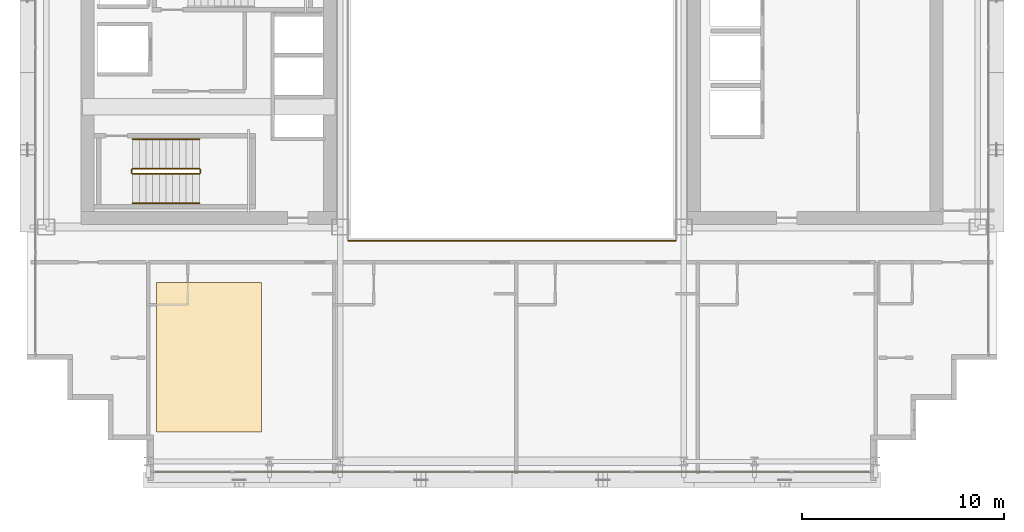
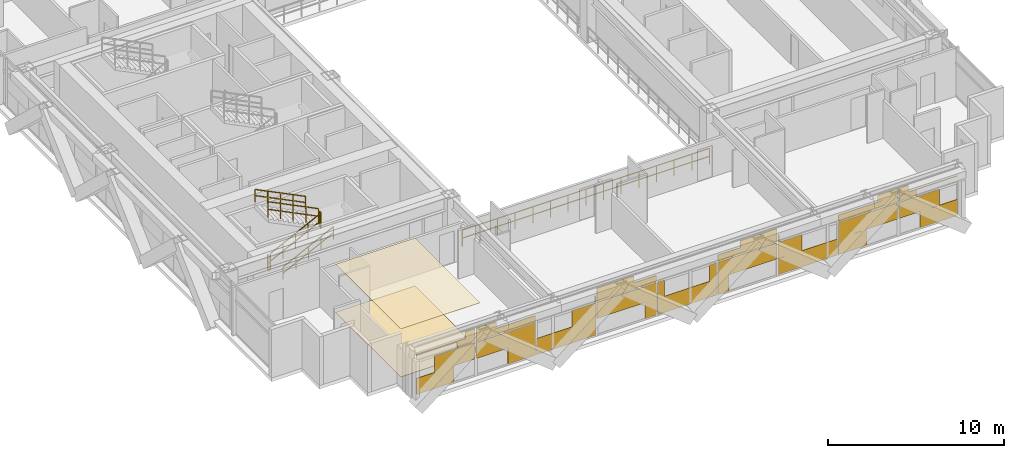
# One storey, part 31 of 34: 7 railings, 3 coverings.
"""IFC4 building model written with IfcOpenShell, lengths in metres."""

from ifc_helpers import new_model, si_unit, direction, frame, origin, origin_2d, place, context, subcontext, project, spatial, polyline, rectangle, outline, extrude, material, layer, layer_set, type_object, element, save


model = new_model("IFC4")

# Units and contexts
model_context = context("Model", 3, precision=1e-05, world=origin(), true_north=direction((0.0, 1.0)))
body_context = subcontext(model_context, "Body", "Model", "MODEL_VIEW")
ifc_project = project(units=[si_unit("LENGTHUNIT", "METRE"), si_unit("AREAUNIT", "SQUARE_METRE"), si_unit("VOLUMEUNIT", "CUBIC_METRE"), si_unit("PLANEANGLEUNIT", "RADIAN"), si_unit("MASSUNIT", "GRAM", prefix="KILO")], contexts=[model_context])

# Site, building, storey
site_placement = place(None, origin())
site = spatial("IfcSite", under=ifc_project, at=site_placement, CompositionType="ELEMENT")
building_placement = place(site_placement, origin())
building = spatial("IfcBuilding", under=site, at=building_placement, Name="Ocotamira Hotel", CompositionType="ELEMENT")
storey_placement = place(building_placement, frame((0.0, 0.0, 111.60009765625)))
storey = spatial("IfcBuildingStorey", under=building, at=storey_placement, Name="L27", CompositionType="ELEMENT", Elevation=111.60009765625)

# Coverings
ifc_material_1 = material(Name="Perforated acoustic gypsum ceiling board", Category="gypsum")
ifc_layer_1 = layer(ifc_material_1, 0.02490234375)
ifc_layer_set_1 = layer_set([ifc_layer_1], Name="Perforated acoustic gypsum ceiling board")
covering_type_1 = type_object("IfcCoveringType", Name="COV-CEIL-25", PredefinedType="CEILING", material=ifc_layer_set_1)
covering_1_placement = place(storey_placement, frame((0.0, 0.0, 3.3349609375)))
element("IfcCovering", 1, at=covering_1_placement, inside=storey, type_object=covering_type_1, Name="L27 Acoustic Ceiling", PredefinedType="CEILING", context=body_context, shape_type="SweptSolid", body=[
    extrude(outline(polyline([(14.39990234375, 4.39990234375), (19.60009765625, 4.39990234375), (19.60009765625, 11.800048828125), (14.39990234375, 11.800048828125), (14.39990234375, 4.39990234375)])), origin(), (0.0, 0.0, 1.0), 0.02490234375),
])
ifc_material_2 = material(Name="Honed desert travertine stone flooring", Category="masonry")
ifc_layer_2 = layer(ifc_material_2, 0.030029296875)
ifc_layer_set_2 = layer_set([ifc_layer_2], Name="Honed desert travertine stone flooring")
covering_type_2 = type_object("IfcCoveringType", Name="COV-FLOR-30", PredefinedType="FLOORING", material=ifc_layer_set_2)
covering_2_placement = place(storey_placement, origin())
element("IfcCovering", 2, at=covering_2_placement, inside=storey, type_object=covering_type_2, Name="L27 Honed Stone Floor Finish", PredefinedType="FLOORING", context=body_context, shape_type="SweptSolid", body=[
    extrude(outline(polyline([(14.39990234375, 4.39990234375), (19.60009765625, 4.39990234375), (19.60009765625, 11.800048828125), (14.39990234375, 11.800048828125), (14.39990234375, 4.39990234375)])), origin(), (0.0, 0.0, 1.0), 0.02978515625),
])
ifc_material_3 = material(Name="Insulated pale-metal aluminium spandrel panel", Category="aluminium")
ifc_layer_3 = layer(ifc_material_3, 0.044921875)
ifc_layer_set_3 = layer_set([ifc_layer_3], Name="Insulated pale-metal aluminium spandrel panel")
covering_type_3 = type_object("IfcCoveringType", Name="COV-INFILL-45", PredefinedType="CLADDING", material=ifc_layer_set_3)
covering_3_placement = place(storey_placement, origin())
element("IfcCovering", 3, at=covering_3_placement, inside=storey, type_object=covering_type_3, Name="L27 Curtain Wall Infill CW-3 CW-L27-S1", PredefinedType="CLADDING", context=body_context, shape_type="SweptSolid", body=[
    extrude(rectangle(XDim=2.464111328125, YDim=0.044921875, at=origin_2d()), frame((15.512451171875, 2.419921875, 0.0751953125), z_axis=(0.0, 0.0, 1.0), x_axis=(1.0, 0.0, 0.0)), (0.0, 0.0, 1.0), 1.117919921875),
    extrude(rectangle(XDim=2.650146484375, YDim=0.044921875, at=origin_2d()), frame((16.7900390625, 2.419921875, 1.194091796875), z_axis=(0.0, 0.0, 1.0), x_axis=(1.0, 0.0, 0.0)), (0.0, 0.0, 1.0), 1.11767578125),
    extrude(rectangle(XDim=3.834716796875, YDim=0.044921875, at=origin_2d()), frame((16.19775390625, 2.419921875, 2.782470703125), z_axis=(0.0, 0.0, 1.0), x_axis=(1.0, 0.0, 0.0)), (0.0, 0.0, 1.0), 0.0302734375),
    extrude(rectangle(XDim=1.157958984375, YDim=0.044921875, at=origin_2d()), frame((17.5361328125, 2.419921875, 2.387939453125), z_axis=(0.0, 0.0, 1.0), x_axis=(1.0, 0.0, 0.0)), (0.0, 0.0, 1.0), 0.3935546875),
    extrude(rectangle(XDim=0.625732421875, YDim=0.044921875, at=origin_2d()), frame((17.80224609375, 2.419921875, 2.813720703125), z_axis=(0.0, 0.0, 1.0), x_axis=(1.0, 0.0, 0.0)), (0.0, 0.0, 1.0), 0.470703125),
    extrude(rectangle(XDim=3.87451171875, YDim=0.044921875, at=origin_2d()), frame((20.13330078125, 2.419921875, 1.194091796875), z_axis=(0.0, 0.0, 1.0), x_axis=(1.0, 0.0, 0.0)), (0.0, 0.0, 1.0), 1.11767578125),
    extrude(rectangle(XDim=1.815185546875, YDim=0.044921875, at=origin_2d()), frame((21.1630859375, 2.419921875, 0.0751953125), z_axis=(0.0, 0.0, 1.0), x_axis=(1.0, 0.0, 0.0)), (0.0, 0.0, 1.0), 1.117919921875),
    extrude(rectangle(XDim=3.87451171875, YDim=0.044921875, at=origin_2d()), frame((20.13330078125, 2.419921875, 2.387939453125), z_axis=(0.0, 0.0, 1.0), x_axis=(1.0, 0.0, 0.0)), (0.0, 0.0, 1.0), 0.4248046875),
    extrude(rectangle(XDim=1.314697265625, YDim=0.044921875, at=origin_2d()), frame((18.853515625, 2.419921875, 2.813720703125), z_axis=(0.0, 0.0, 1.0), x_axis=(1.0, 0.0, 0.0)), (0.0, 0.0, 1.0), 0.470703125),
    extrude(rectangle(XDim=3.87451171875, YDim=0.044921875, at=origin_2d()), frame((24.0888671875, 2.419921875, 0.0751953125), z_axis=(0.0, 0.0, 1.0), x_axis=(1.0, 0.0, 0.0)), (0.0, 0.0, 1.0), 1.117919921875),
    extrude(rectangle(XDim=1.561279296875, YDim=0.044921875, at=origin_2d()), frame((25.24560546875, 2.419921875, 1.194091796875), z_axis=(0.0, 0.0, 1.0), x_axis=(1.0, 0.0, 0.0)), (0.0, 0.0, 1.0), 1.11767578125),
    extrude(rectangle(XDim=0.069091796875, YDim=0.044921875, at=origin_2d()), frame((25.99169921875, 2.419921875, 2.387939453125), z_axis=(0.0, 0.0, 1.0), x_axis=(1.0, 0.0, 0.0)), (0.0, 0.0, 1.0), 0.4248046875),
    extrude(rectangle(XDim=3.87451171875, YDim=0.044921875, at=origin_2d()), frame((28.04443359375, 2.419921875, 1.194091796875), z_axis=(0.0, 0.0, 1.0), x_axis=(1.0, 0.0, 0.0)), (0.0, 0.0, 1.0), 1.11767578125),
    extrude(rectangle(XDim=0.726318359375, YDim=0.044921875, at=origin_2d()), frame((29.61865234375, 2.419921875, 0.0751953125), z_axis=(0.0, 0.0, 1.0), x_axis=(1.0, 0.0, 0.0)), (0.0, 0.0, 1.0), 1.117919921875),
    extrude(rectangle(XDim=3.87451171875, YDim=0.044921875, at=origin_2d()), frame((28.04443359375, 2.419921875, 2.387939453125), z_axis=(0.0, 0.0, 1.0), x_axis=(1.0, 0.0, 0.0)), (0.0, 0.0, 1.0), 0.4248046875),
    extrude(rectangle(XDim=2.403564453125, YDim=0.044921875, at=origin_2d()), frame((27.308837890625, 2.419921875, 2.813720703125), z_axis=(0.0, 0.0, 1.0), x_axis=(1.0, 0.0, 0.0)), (0.0, 0.0, 1.0), 0.470703125),
    extrude(rectangle(XDim=3.87451171875, YDim=0.044921875, at=origin_2d()), frame((32.0, 2.419921875, 0.0751953125), z_axis=(0.0, 0.0, 1.0), x_axis=(1.0, 0.0, 0.0)), (0.0, 0.0, 1.0), 1.117919921875),
    extrude(rectangle(XDim=0.472412109375, YDim=0.044921875, at=origin_2d()), frame((30.298828125, 2.419921875, 1.194091796875), z_axis=(0.0, 0.0, 1.0), x_axis=(1.0, 0.0, 0.0)), (0.0, 0.0, 1.0), 1.11767578125),
    extrude(rectangle(XDim=0.472412109375, YDim=0.044921875, at=origin_2d()), frame((33.701171875, 2.419921875, 1.194091796875), z_axis=(0.0, 0.0, 1.0), x_axis=(1.0, 0.0, 0.0)), (0.0, 0.0, 1.0), 1.11767578125),
    extrude(rectangle(XDim=0.726318359375, YDim=0.044921875, at=origin_2d()), frame((34.38134765625, 2.419921875, 0.0751953125), z_axis=(0.0, 0.0, 1.0), x_axis=(1.0, 0.0, 0.0)), (0.0, 0.0, 1.0), 1.117919921875),
    extrude(rectangle(XDim=3.87451171875, YDim=0.044921875, at=origin_2d()), frame((35.95556640625, 2.419921875, 1.194091796875), z_axis=(0.0, 0.0, 1.0), x_axis=(1.0, 0.0, 0.0)), (0.0, 0.0, 1.0), 1.11767578125),
    extrude(rectangle(XDim=3.87451171875, YDim=0.044921875, at=origin_2d()), frame((35.95556640625, 2.419921875, 2.387939453125), z_axis=(0.0, 0.0, 1.0), x_axis=(1.0, 0.0, 0.0)), (0.0, 0.0, 1.0), 0.4248046875),
    extrude(rectangle(XDim=2.403564453125, YDim=0.044921875, at=origin_2d()), frame((36.691162109375, 2.419921875, 2.813720703125), z_axis=(0.0, 0.0, 1.0), x_axis=(1.0, 0.0, 0.0)), (0.0, 0.0, 1.0), 0.470703125),
    extrude(rectangle(XDim=3.87451171875, YDim=0.044921875, at=origin_2d()), frame((39.9111328125, 2.419921875, 0.0751953125), z_axis=(0.0, 0.0, 1.0), x_axis=(1.0, 0.0, 0.0)), (0.0, 0.0, 1.0), 1.117919921875),
    extrude(rectangle(XDim=1.561279296875, YDim=0.044921875, at=origin_2d()), frame((38.75439453125, 2.419921875, 1.194091796875), z_axis=(0.0, 0.0, 1.0), x_axis=(1.0, 0.0, 0.0)), (0.0, 0.0, 1.0), 1.11767578125),
    extrude(rectangle(XDim=0.069091796875, YDim=0.044921875, at=origin_2d()), frame((38.00830078125, 2.419921875, 2.387939453125), z_axis=(0.0, 0.0, 1.0), x_axis=(1.0, 0.0, 0.0)), (0.0, 0.0, 1.0), 0.4248046875),
    extrude(rectangle(XDim=1.815185546875, YDim=0.044921875, at=origin_2d()), frame((42.8369140625, 2.419921875, 0.0751953125), z_axis=(0.0, 0.0, 1.0), x_axis=(1.0, 0.0, 0.0)), (0.0, 0.0, 1.0), 1.117919921875),
    extrude(rectangle(XDim=3.87451171875, YDim=0.044921875, at=origin_2d()), frame((43.86669921875, 2.419921875, 1.194091796875), z_axis=(0.0, 0.0, 1.0), x_axis=(1.0, 0.0, 0.0)), (0.0, 0.0, 1.0), 1.11767578125),
    extrude(rectangle(XDim=3.87451171875, YDim=0.044921875, at=origin_2d()), frame((43.86669921875, 2.419921875, 2.387939453125), z_axis=(0.0, 0.0, 1.0), x_axis=(1.0, 0.0, 0.0)), (0.0, 0.0, 1.0), 0.4248046875),
    extrude(rectangle(XDim=1.314697265625, YDim=0.044921875, at=origin_2d()), frame((45.146484375, 2.419921875, 2.813720703125), z_axis=(0.0, 0.0, 1.0), x_axis=(1.0, 0.0, 0.0)), (0.0, 0.0, 1.0), 0.470703125),
    extrude(rectangle(XDim=2.650146484375, YDim=0.044921875, at=origin_2d()), frame((47.2099609375, 2.419921875, 1.194091796875), z_axis=(0.0, 0.0, 1.0), x_axis=(1.0, 0.0, 0.0)), (0.0, 0.0, 1.0), 1.11767578125),
    extrude(rectangle(XDim=2.464111328125, YDim=0.044921875, at=origin_2d()), frame((48.487548828125, 2.419921875, 0.0751953125), z_axis=(0.0, 0.0, 1.0), x_axis=(1.0, 0.0, 0.0)), (0.0, 0.0, 1.0), 1.117919921875),
    extrude(rectangle(XDim=1.157958984375, YDim=0.044921875, at=origin_2d()), frame((46.4638671875, 2.419921875, 2.387939453125), z_axis=(0.0, 0.0, 1.0), x_axis=(1.0, 0.0, 0.0)), (0.0, 0.0, 1.0), 0.3935546875),
    extrude(rectangle(XDim=3.834716796875, YDim=0.044921875, at=origin_2d()), frame((47.80224609375, 2.419921875, 2.782470703125), z_axis=(0.0, 0.0, 1.0), x_axis=(1.0, 0.0, 0.0)), (0.0, 0.0, 1.0), 0.0302734375),
    extrude(rectangle(XDim=0.625732421875, YDim=0.044921875, at=origin_2d()), frame((46.19775390625, 2.419921875, 2.813720703125), z_axis=(0.0, 0.0, 1.0), x_axis=(1.0, 0.0, 0.0)), (0.0, 0.0, 1.0), 0.470703125),
])

# Railings
ifc_material_4 = material(Name="Painted steel stair guardrail", Category="steel")
railing_type_1 = type_object("IfcRailingType", Name="RL-EDGE-1150", PredefinedType="GUARDRAIL", material=ifc_material_4)
railing_1_placement = place(storey_placement, frame((23.89990234375, 13.8798828125, 0.0)))
element("IfcRailing", 4, at=railing_1_placement, inside=storey, type_object=railing_type_1, Name="L27 Central Atrium Edge Guardrail S", PredefinedType="GUARDRAIL", context=body_context, shape_type="SweptSolid", body=[
    extrude(rectangle(XDim=0.048095703125, YDim=0.048095703125, at=origin_2d()), frame((0.0, 0.0, 1.1259765625), z_axis=(1.0, 0.0, 0.0), x_axis=(0.0, 1.0, 0.0)), (0.0, 0.0, 1.0), 16.2001953125),
    extrude(rectangle(XDim=0.048095703125, YDim=0.048095703125, at=origin_2d()), frame((0.0, 0.0, 0.574951171875), z_axis=(1.0, 0.0, 0.0), x_axis=(0.0, 1.0, 0.0)), (0.0, 0.0, 1.0), 16.2001953125),
    extrude(rectangle(XDim=0.0419921875, YDim=0.0419921875, at=origin_2d()), origin(), (0.0, 0.0, 1.0), 1.101806640625),
    extrude(rectangle(XDim=0.0419921875, YDim=0.0419921875, at=origin_2d()), frame((1.1572265625, 0.0, 0.0)), (0.0, 0.0, 1.0), 1.101806640625),
    extrude(rectangle(XDim=0.0419921875, YDim=0.0419921875, at=origin_2d()), frame((2.314208984375, 0.0, 0.0)), (0.0, 0.0, 1.0), 1.101806640625),
    extrude(rectangle(XDim=0.0419921875, YDim=0.0419921875, at=origin_2d()), frame((3.471435546875, 0.0, 0.0)), (0.0, 0.0, 1.0), 1.101806640625),
    extrude(rectangle(XDim=0.0419921875, YDim=0.0419921875, at=origin_2d()), frame((4.628662109375, 0.0, 0.0)), (0.0, 0.0, 1.0), 1.101806640625),
    extrude(rectangle(XDim=0.0419921875, YDim=0.0419921875, at=origin_2d()), frame((5.785888671875, 0.0, 0.0)), (0.0, 0.0, 1.0), 1.101806640625),
    extrude(rectangle(XDim=0.0419921875, YDim=0.0419921875, at=origin_2d()), frame((6.94287109375, 0.0, 0.0)), (0.0, 0.0, 1.0), 1.101806640625),
    extrude(rectangle(XDim=0.0419921875, YDim=0.0419921875, at=origin_2d()), frame((8.10009765625, 0.0, 0.0)), (0.0, 0.0, 1.0), 1.101806640625),
    extrude(rectangle(XDim=0.0419921875, YDim=0.0419921875, at=origin_2d()), frame((9.25732421875, 0.0, 0.0)), (0.0, 0.0, 1.0), 1.101806640625),
    extrude(rectangle(XDim=0.0419921875, YDim=0.0419921875, at=origin_2d()), frame((10.414306640625, 0.0, 0.0)), (0.0, 0.0, 1.0), 1.101806640625),
    extrude(rectangle(XDim=0.0419921875, YDim=0.0419921875, at=origin_2d()), frame((11.571533203125, 0.0, 0.0)), (0.0, 0.0, 1.0), 1.101806640625),
    extrude(rectangle(XDim=0.0419921875, YDim=0.0419921875, at=origin_2d()), frame((12.728759765625, 0.0, 0.0)), (0.0, 0.0, 1.0), 1.101806640625),
    extrude(rectangle(XDim=0.0419921875, YDim=0.0419921875, at=origin_2d()), frame((13.885986328125, 0.0, 0.0)), (0.0, 0.0, 1.0), 1.101806640625),
    extrude(rectangle(XDim=0.0419921875, YDim=0.0419921875, at=origin_2d()), frame((15.04296875, 0.0, 0.0)), (0.0, 0.0, 1.0), 1.101806640625),
    extrude(rectangle(XDim=0.0419921875, YDim=0.0419921875, at=origin_2d()), frame((16.2001953125, 0.0, 0.0)), (0.0, 0.0, 1.0), 1.101806640625),
])
ifc_material_5 = material(Name="Brushed stainless steel handrail", Category="steel")
railing_type_2 = type_object("IfcRailingType", Name="RL-HAND-900", PredefinedType="HANDRAIL", material=ifc_material_5)
railing_2_placement = place(storey_placement, frame((13.22998046875, 15.719970703125, 0.3271484375)))
element("IfcRailing", 5, at=railing_2_placement, inside=storey, type_object=railing_type_2, Name="L27 ST-1 stair handrail 1", PredefinedType="HANDRAIL", context=body_context, shape_type="SweptSolid", body=[
    extrude(rectangle(XDim=0.048095703125, YDim=0.048095703125, at=origin_2d()), frame((0.0, 0.0, 0.8759765625), z_axis=(0.895893744519, 0.0, 0.4442683857), x_axis=(0.0, 1.0, 0.0)), (0.0, 0.0, 1.0), 3.68359375),
    extrude(rectangle(XDim=0.048095703125, YDim=0.048095703125, at=origin_2d()), frame((0.0, 0.0, 0.449951171875), z_axis=(0.895893744519, 0.0, 0.4442683857), x_axis=(0.0, 1.0, 0.0)), (0.0, 0.0, 1.0), 3.68359375),
    extrude(rectangle(XDim=0.0419921875, YDim=0.0419921875, at=origin_2d()), origin(), (0.0, 0.0, 1.0), 0.851806640625),
    extrude(rectangle(XDim=0.0419921875, YDim=0.0419921875, at=origin_2d()), frame((0.824951171875, 0.0, 0.4091796875)), (0.0, 0.0, 1.0), 0.851806640625),
    extrude(rectangle(XDim=0.0419921875, YDim=0.0419921875, at=origin_2d()), frame((1.64990234375, 0.0, 0.818359375)), (0.0, 0.0, 1.0), 0.851806640625),
    extrude(rectangle(XDim=0.0419921875, YDim=0.0419921875, at=origin_2d()), frame((2.47509765625, 0.0, 1.227294921875)), (0.0, 0.0, 1.0), 0.851806640625),
    extrude(rectangle(XDim=0.0419921875, YDim=0.0419921875, at=origin_2d()), frame((3.300048828125, 0.0, 1.636474609375)), (0.0, 0.0, 1.0), 0.851806640625),
])
railing_3_placement = place(storey_placement, frame((16.530029296875, 18.89990234375, 2.127197265625)))
element("IfcRailing", 6, at=railing_3_placement, inside=storey, type_object=railing_type_2, Name="L27 ST-1 stair handrail 2", PredefinedType="HANDRAIL", context=body_context, shape_type="SweptSolid", body=[
    extrude(rectangle(XDim=0.048095703125, YDim=0.048095703125, at=origin_2d()), frame((0.0, 0.0, 0.8759765625), z_axis=(-0.895920123917, 0.0, 0.444215186098), x_axis=(0.0, -1.0, 0.0)), (0.0, 0.0, 1.0), 3.683349609375),
    extrude(rectangle(XDim=0.048095703125, YDim=0.048095703125, at=origin_2d()), frame((0.0, 0.0, 0.449951171875), z_axis=(-0.895920123917, 0.0, 0.444215186098), x_axis=(0.0, -1.0, 0.0)), (0.0, 0.0, 1.0), 3.683349609375),
    extrude(rectangle(XDim=0.0419921875, YDim=0.0419921875, at=origin_2d()), origin(), (0.0, 0.0, 1.0), 0.851806640625),
    extrude(rectangle(XDim=0.0419921875, YDim=0.0419921875, at=origin_2d()), frame((-0.824951171875, 0.0, 0.4091796875)), (0.0, 0.0, 1.0), 0.851806640625),
    extrude(rectangle(XDim=0.0419921875, YDim=0.0419921875, at=origin_2d()), frame((-1.64990234375, 0.0, 0.818115234375)), (0.0, 0.0, 1.0), 0.851806640625),
    extrude(rectangle(XDim=0.0419921875, YDim=0.0419921875, at=origin_2d()), frame((-2.47509765625, 0.0, 1.22705078125)), (0.0, 0.0, 1.0), 0.851806640625),
    extrude(rectangle(XDim=0.0419921875, YDim=0.0419921875, at=origin_2d()), frame((-3.300048828125, 0.0, 1.63623046875)), (0.0, 0.0, 1.0), 0.851806640625),
])
railing_type_3 = type_object("IfcRailingType", Name="RL-STAIR-1100", PredefinedType="GUARDRAIL", material=ifc_material_4)
railing_4_placement = place(storey_placement, frame((13.22998046875, 17.179931640625, 0.16357421875)))
element("IfcRailing", 7, at=railing_4_placement, inside=storey, type_object=railing_type_3, Name="L27 ST-1 stair guard 1", PredefinedType="GUARDRAIL", context=body_context, shape_type="SweptSolid", body=[
    extrude(rectangle(XDim=0.048095703125, YDim=0.048095703125, at=origin_2d()), frame((0.0, 0.0, 1.076171875), z_axis=(0.895920123917, 0.0, 0.444215186098), x_axis=(0.0, 1.0, 0.0)), (0.0, 0.0, 1.0), 3.683349609375),
    extrude(rectangle(XDim=0.048095703125, YDim=0.048095703125, at=origin_2d()), frame((0.0, 0.0, 0.550048828125), z_axis=(0.895920123917, 0.0, 0.444215186098), x_axis=(0.0, 1.0, 0.0)), (0.0, 0.0, 1.0), 3.683349609375),
    extrude(rectangle(XDim=0.0419921875, YDim=0.0419921875, at=origin_2d()), origin(), (0.0, 0.0, 1.0), 1.052001953125),
    extrude(rectangle(XDim=0.0419921875, YDim=0.0419921875, at=origin_2d()), frame((0.824951171875, 0.0, 0.4091796875)), (0.0, 0.0, 1.0), 1.052001953125),
    extrude(rectangle(XDim=0.0419921875, YDim=0.0419921875, at=origin_2d()), frame((1.64990234375, 0.0, 0.818115234375)), (0.0, 0.0, 1.0), 1.052001953125),
    extrude(rectangle(XDim=0.0419921875, YDim=0.0419921875, at=origin_2d()), frame((2.47509765625, 0.0, 1.22705078125)), (0.0, 0.0, 1.0), 1.052001953125),
    extrude(rectangle(XDim=0.0419921875, YDim=0.0419921875, at=origin_2d()), frame((3.300048828125, 0.0, 1.63623046875)), (0.0, 0.0, 1.0), 1.052001953125),
])
railing_5_placement = place(storey_placement, frame((16.580078125, 17.22998046875, 1.7998046875)))
element("IfcRailing", 8, at=railing_5_placement, inside=storey, type_object=railing_type_3, Name="L27 ST-1 stair guard 2", PredefinedType="GUARDRAIL", context=body_context, shape_type="SweptSolid", body=[
    extrude(rectangle(XDim=0.048095703125, YDim=0.048095703125, at=origin_2d()), frame((0.0, 0.0, 1.076171875), z_axis=(0.0, 1.0, 0.0), x_axis=(-1.0, 0.0, 0.0)), (0.0, 0.0, 1.0), 0.159912109375),
    extrude(rectangle(XDim=0.048095703125, YDim=0.048095703125, at=origin_2d()), frame((0.0, 0.0, 0.550048828125), z_axis=(0.0, 1.0, 0.0), x_axis=(-1.0, 0.0, 0.0)), (0.0, 0.0, 1.0), 0.159912109375),
    extrude(rectangle(XDim=0.0419921875, YDim=0.0419921875, at=origin_2d()), origin(), (0.0, 0.0, 1.0), 1.052001953125),
    extrude(rectangle(XDim=0.0419921875, YDim=0.0419921875, at=origin_2d()), frame((0.0, 0.159912109375, 0.0)), (0.0, 0.0, 1.0), 1.052001953125),
])
railing_6_placement = place(storey_placement, frame((16.530029296875, 17.43994140625, 1.963623046875)))
element("IfcRailing", 9, at=railing_6_placement, inside=storey, type_object=railing_type_3, Name="L27 ST-1 stair guard 3", PredefinedType="GUARDRAIL", context=body_context, shape_type="SweptSolid", body=[
    extrude(rectangle(XDim=0.048095703125, YDim=0.048095703125, at=origin_2d()), frame((0.0, 0.0, 1.076171875), z_axis=(-0.895920123917, 0.0, 0.444215186098), x_axis=(0.0, -1.0, 0.0)), (0.0, 0.0, 1.0), 3.683349609375),
    extrude(rectangle(XDim=0.048095703125, YDim=0.048095703125, at=origin_2d()), frame((0.0, 0.0, 0.550048828125), z_axis=(-0.895920123917, 0.0, 0.444215186098), x_axis=(0.0, -1.0, 0.0)), (0.0, 0.0, 1.0), 3.683349609375),
    extrude(rectangle(XDim=0.0419921875, YDim=0.0419921875, at=origin_2d()), origin(), (0.0, 0.0, 1.0), 1.052001953125),
    extrude(rectangle(XDim=0.0419921875, YDim=0.0419921875, at=origin_2d()), frame((-0.824951171875, 0.0, 0.4091796875)), (0.0, 0.0, 1.0), 1.052001953125),
    extrude(rectangle(XDim=0.0419921875, YDim=0.0419921875, at=origin_2d()), frame((-1.64990234375, 0.0, 0.818115234375)), (0.0, 0.0, 1.0), 1.052001953125),
    extrude(rectangle(XDim=0.0419921875, YDim=0.0419921875, at=origin_2d()), frame((-2.47509765625, 0.0, 1.22705078125)), (0.0, 0.0, 1.0), 1.052001953125),
    extrude(rectangle(XDim=0.0419921875, YDim=0.0419921875, at=origin_2d()), frame((-3.300048828125, 0.0, 1.63623046875)), (0.0, 0.0, 1.0), 1.052001953125),
])
railing_7_placement = place(storey_placement, frame((13.179931640625, 17.22998046875, 0.0)))
element("IfcRailing", 10, at=railing_7_placement, inside=storey, type_object=railing_type_3, Name="L27 ST-1 stair guard 4", PredefinedType="GUARDRAIL", context=body_context, shape_type="SweptSolid", body=[
    extrude(rectangle(XDim=0.048095703125, YDim=0.048095703125, at=origin_2d()), frame((0.0, 0.0, 1.076171875), z_axis=(0.0, 1.0, 0.0), x_axis=(-1.0, 0.0, 0.0)), (0.0, 0.0, 1.0), 0.159912109375),
    extrude(rectangle(XDim=0.048095703125, YDim=0.048095703125, at=origin_2d()), frame((0.0, 0.0, 0.550048828125), z_axis=(0.0, 1.0, 0.0), x_axis=(-1.0, 0.0, 0.0)), (0.0, 0.0, 1.0), 0.159912109375),
    extrude(rectangle(XDim=0.0419921875, YDim=0.0419921875, at=origin_2d()), origin(), (0.0, 0.0, 1.0), 1.052001953125),
    extrude(rectangle(XDim=0.0419921875, YDim=0.0419921875, at=origin_2d()), frame((0.0, 0.159912109375, 0.0)), (0.0, 0.0, 1.0), 1.052001953125),
])

save(model, "model.ifc")
